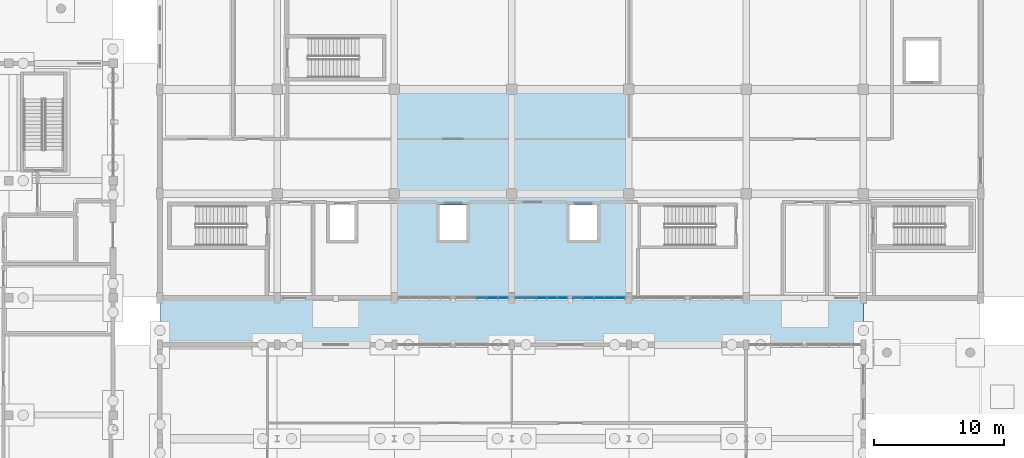
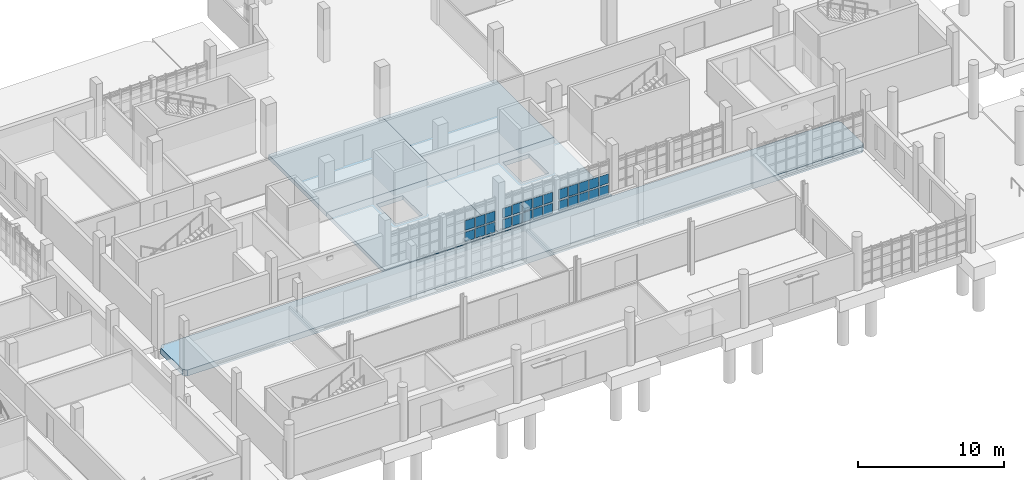
# One storey, part 31 of 63: 26 plates, 5 slabs, 3 elements without a shape of their own.
"""IFC4 building model written with IfcOpenShell, lengths in metres."""

from ifc_helpers import new_model, si_unit, direction, frame, origin, origin_2d, place, context, subcontext, project, spatial, polyline, rectangle, outline, extrude, material, layer, layer_set, type_object, element, aggregate, save


model = new_model("IFC4")

# Units and contexts
model_context = context("Model", 3, precision=1e-05, world=origin(), true_north=direction((0.0, 1.0)))
body_context = subcontext(model_context, "Body", "Model", "MODEL_VIEW")
ifc_project = project(units=[si_unit("LENGTHUNIT", "METRE"), si_unit("AREAUNIT", "SQUARE_METRE"), si_unit("VOLUMEUNIT", "CUBIC_METRE"), si_unit("PLANEANGLEUNIT", "RADIAN"), si_unit("MASSUNIT", "GRAM", prefix="KILO")], contexts=[model_context])

# Site, building, storey
site_placement = place(None, origin())
site = spatial("IfcSite", under=ifc_project, at=site_placement, CompositionType="ELEMENT")
building_placement = place(site_placement, origin())
building = spatial("IfcBuilding", under=site, at=building_placement, Name="Serraforn Aerial Cableway Station", CompositionType="ELEMENT")
storey_placement = place(building_placement, origin())
storey = spatial("IfcBuildingStorey", under=building, at=storey_placement, Name="L00", CompositionType="ELEMENT", Elevation=0.0)

# Curtain wall, plates
ifc_material_1 = material(Name="Anodised bronze unitised curtain wall")
curtain_wall_type_1 = type_object("IfcCurtainWallType", Name="CW-SYS-4", PredefinedType="USERDEFINED", material=ifc_material_1)
curtain_wall_1_placement = place(storey_placement, origin())
curtain_wall_1 = element("IfcCurtainWall", 1, at=curtain_wall_1_placement, inside=storey, type_object=curtain_wall_type_1, Name="Unitised Curtain Wall CW-CV-L00-S3B", ObjectType="UNITISED CURTAIN WALL", PredefinedType="USERDEFINED")
ifc_material_2 = material(Name="Solar-control low-E double glazing", Category="glass")
ifc_layer_1 = layer(ifc_material_2, 0.02587890625)
ifc_layer_set_1 = layer_set([ifc_layer_1], Name="Solar-control low-E double glazing")
plate_type_1 = type_object("IfcPlateType", Name="CW-GLZ-1", PredefinedType="CURTAIN_PANEL", material=ifc_layer_set_1)
plate_1_placement = place(storey_placement, frame((53.129150390625, 18.0, 1.11376953125), z_axis=(0.0, 0.0, 1.0), x_axis=(1.0, 0.0, 0.0)))
plate_1 = element("IfcPlate", 2, at=plate_1_placement, type_object=plate_type_1, Name="Curtain Wall Panel CW-CV-L00-S3B-P4-2", PredefinedType="CURTAIN_PANEL", context=body_context, shape_type="SweptSolid", body=[
    extrude(rectangle(XDim=0.745849609375, YDim=0.02587890625, at=origin_2d()), origin(), (0.0, 0.0, 1.0), 0.824951171875),
])
plate_2_placement = place(storey_placement, frame((53.93603515625, 18.0, 0.177734375), z_axis=(0.0, 0.0, 1.0), x_axis=(1.0, 0.0, 0.0)))
plate_2 = element("IfcPlate", 3, at=plate_2_placement, type_object=plate_type_1, Name="Curtain Wall Panel CW-CV-L00-S3B-P5-1", PredefinedType="CURTAIN_PANEL", context=body_context, shape_type="SweptSolid", body=[
    extrude(rectangle(XDim=0.725830078125, YDim=0.02587890625, at=origin_2d()), origin(), (0.0, 0.0, 1.0), 0.824951171875),
])

curtain_wall_type_2 = type_object("IfcCurtainWallType", Name="CW-SYS-5", PredefinedType="USERDEFINED", material=ifc_material_1)
curtain_wall_2_placement = place(storey_placement, origin())
curtain_wall_2 = element("IfcCurtainWall", 4, at=curtain_wall_2_placement, inside=storey, type_object=curtain_wall_type_2, Name="Unitised Curtain Wall CW-CV-L00-S4A", ObjectType="UNITISED CURTAIN WALL", PredefinedType="USERDEFINED")
plate_3_placement = place(storey_placement, frame((56.8828125, 18.0, 1.11376953125), z_axis=(0.0, 0.0, 1.0), x_axis=(1.0, 0.0, 0.0)))
plate_3 = element("IfcPlate", 5, at=plate_3_placement, type_object=plate_type_1, Name="Curtain Wall Panel CW-CV-L00-S4A-P3-2", PredefinedType="CURTAIN_PANEL", context=body_context, shape_type="SweptSolid", body=[
    extrude(rectangle(XDim=0.745849609375, YDim=0.02587890625, at=origin_2d()), origin(), (0.0, 0.0, 1.0), 0.824951171875),
])
plate_4_placement = place(storey_placement, frame((57.703369140625, 18.0, 0.177734375), z_axis=(0.0, 0.0, 1.0), x_axis=(1.0, 0.0, 0.0)))
plate_4 = element("IfcPlate", 6, at=plate_4_placement, type_object=plate_type_1, Name="Curtain Wall Panel CW-CV-L00-S4A-P4-1", PredefinedType="CURTAIN_PANEL", context=body_context, shape_type="SweptSolid", body=[
    extrude(rectangle(XDim=0.75341796875, YDim=0.02587890625, at=origin_2d()), origin(), (0.0, 0.0, 1.0), 0.824951171875),
])

curtain_wall_type_3 = type_object("IfcCurtainWallType", Name="CW-SYS-6", PredefinedType="USERDEFINED", material=ifc_material_1)
curtain_wall_3_placement = place(storey_placement, origin())
curtain_wall_3 = element("IfcCurtainWall", 7, at=curtain_wall_3_placement, inside=storey, type_object=curtain_wall_type_3, Name="Unitised Curtain Wall CW-CV-L00-S4B", ObjectType="UNITISED CURTAIN WALL", PredefinedType="USERDEFINED")
plate_5_placement = place(storey_placement, frame((60.500244140625, 18.0, 1.11376953125), z_axis=(0.0, 0.0, 1.0), x_axis=(1.0, 0.0, 0.0)))
plate_5 = element("IfcPlate", 8, at=plate_5_placement, type_object=plate_type_1, Name="Curtain Wall Panel CW-CV-L00-S4B-P2-2", PredefinedType="CURTAIN_PANEL", context=body_context, shape_type="SweptSolid", body=[
    extrude(rectangle(XDim=0.745849609375, YDim=0.02587890625, at=origin_2d()), origin(), (0.0, 0.0, 1.0), 0.824951171875),
])
plate_6_placement = place(storey_placement, frame((61.321044921875, 18.0, 0.177734375), z_axis=(0.0, 0.0, 1.0), x_axis=(1.0, 0.0, 0.0)))
plate_6 = element("IfcPlate", 9, at=plate_6_placement, type_object=plate_type_1, Name="Curtain Wall Panel CW-CV-L00-S4B-P3-1", PredefinedType="CURTAIN_PANEL", context=body_context, shape_type="SweptSolid", body=[
    extrude(rectangle(XDim=0.75341796875, YDim=0.02587890625, at=origin_2d()), origin(), (0.0, 0.0, 1.0), 0.824951171875),
])

# Plate
ifc_layer_2 = layer(ifc_material_2, 0.028076171875)
ifc_layer_set_2 = layer_set([ifc_layer_2], Name="Solar-control low-E double glazing")
plate_type_2 = type_object("IfcPlateType", Name="CW-GLZ-2", PredefinedType="CURTAIN_PANEL", material=ifc_layer_set_2)
plate_7_placement = place(storey_placement, frame((53.93603515625, 18.0, 1.118896484375), z_axis=(0.0, 0.0, 1.0), x_axis=(1.0, 0.0, 0.0)))
plate_7 = element("IfcPlate", 10, at=plate_7_placement, type_object=plate_type_2, Name="Curtain Wall Panel CW-CV-L00-S3B-P5-2", PredefinedType="CURTAIN_PANEL", context=body_context, shape_type="SweptSolid", body=[
    extrude(rectangle(XDim=0.725830078125, YDim=0.028076171875, at=origin_2d()), origin(), (0.0, 0.0, 1.0), 0.8125),
])

plate_8_placement = place(storey_placement, frame((57.703369140625, 18.0, 1.118896484375), z_axis=(0.0, 0.0, 1.0), x_axis=(1.0, 0.0, 0.0)))
plate_8 = element("IfcPlate", 11, at=plate_8_placement, type_object=plate_type_2, Name="Curtain Wall Panel CW-CV-L00-S4A-P4-2", PredefinedType="CURTAIN_PANEL", context=body_context, shape_type="SweptSolid", body=[
    extrude(rectangle(XDim=0.75341796875, YDim=0.028076171875, at=origin_2d()), origin(), (0.0, 0.0, 1.0), 0.8125),
])

plate_9_placement = place(storey_placement, frame((58.49658203125, 18.0, 0.182861328125), z_axis=(0.0, 0.0, 1.0), x_axis=(1.0, 0.0, 0.0)))
plate_9 = element("IfcPlate", 12, at=plate_9_placement, type_object=plate_type_2, Name="Curtain Wall Panel CW-CV-L00-S4A-P5-1", PredefinedType="CURTAIN_PANEL", context=body_context, shape_type="SweptSolid", body=[
    extrude(rectangle(XDim=0.73095703125, YDim=0.028076171875, at=origin_2d()), origin(), (0.0, 0.0, 1.0), 0.8125),
])

plate_10_placement = place(storey_placement, frame((61.321044921875, 18.0, 1.118896484375), z_axis=(0.0, 0.0, 1.0), x_axis=(1.0, 0.0, 0.0)))
plate_10 = element("IfcPlate", 13, at=plate_10_placement, type_object=plate_type_2, Name="Curtain Wall Panel CW-CV-L00-S4B-P3-2", PredefinedType="CURTAIN_PANEL", context=body_context, shape_type="SweptSolid", body=[
    extrude(rectangle(XDim=0.75341796875, YDim=0.028076171875, at=origin_2d()), origin(), (0.0, 0.0, 1.0), 0.8125),
])

plate_11_placement = place(storey_placement, frame((62.129150390625, 18.0, 0.182861328125), z_axis=(0.0, 0.0, 1.0), x_axis=(1.0, 0.0, 0.0)))
plate_11 = element("IfcPlate", 14, at=plate_11_placement, type_object=plate_type_2, Name="Curtain Wall Panel CW-CV-L00-S4B-P4-1", PredefinedType="CURTAIN_PANEL", context=body_context, shape_type="SweptSolid", body=[
    extrude(rectangle(XDim=0.760986328125, YDim=0.028076171875, at=origin_2d()), origin(), (0.0, 0.0, 1.0), 0.8125),
])

ifc_layer_3 = layer(ifc_material_2, 0.030029296875)
ifc_layer_set_3 = layer_set([ifc_layer_3], Name="Solar-control low-E double glazing")
plate_type_3 = type_object("IfcPlateType", Name="CW-GLZ-3", PredefinedType="CURTAIN_PANEL", material=ifc_layer_set_3)
plate_12_placement = place(storey_placement, frame((58.49658203125, 18.0, 1.1259765625), z_axis=(0.0, 0.0, 1.0), x_axis=(1.0, 0.0, 0.0)))
plate_12 = element("IfcPlate", 15, at=plate_12_placement, type_object=plate_type_3, Name="Curtain Wall Panel CW-CV-L00-S4A-P5-2", PredefinedType="CURTAIN_PANEL", context=body_context, shape_type="SweptSolid", body=[
    extrude(rectangle(XDim=0.73095703125, YDim=0.030029296875, at=origin_2d()), origin(), (0.0, 0.0, 1.0), 0.797607421875),
])

plate_13_placement = place(storey_placement, frame((62.129150390625, 18.0, 1.1259765625), z_axis=(0.0, 0.0, 1.0), x_axis=(1.0, 0.0, 0.0)))
plate_13 = element("IfcPlate", 16, at=plate_13_placement, type_object=plate_type_3, Name="Curtain Wall Panel CW-CV-L00-S4B-P4-2", PredefinedType="CURTAIN_PANEL", context=body_context, shape_type="SweptSolid", body=[
    extrude(rectangle(XDim=0.760986328125, YDim=0.030029296875, at=origin_2d()), origin(), (0.0, 0.0, 1.0), 0.797607421875),
])

plate_14_placement = place(storey_placement, frame((62.92724609375, 18.0, 0.1904296875), z_axis=(0.0, 0.0, 1.0), x_axis=(1.0, 0.0, 0.0)))
plate_14 = element("IfcPlate", 17, at=plate_14_placement, type_object=plate_type_3, Name="Curtain Wall Panel CW-CV-L00-S4B-P5-1", PredefinedType="CURTAIN_PANEL", context=body_context, shape_type="SweptSolid", body=[
    extrude(rectangle(XDim=0.723388671875, YDim=0.030029296875, at=origin_2d()), origin(), (0.0, 0.0, 1.0), 0.797607421875),
])

ifc_layer_4 = layer(ifc_material_2, 0.031982421875)
ifc_layer_set_4 = layer_set([ifc_layer_4], Name="Solar-control low-E double glazing")
plate_type_4 = type_object("IfcPlateType", Name="CW-GLZ-4", PredefinedType="CURTAIN_PANEL", material=ifc_layer_set_4)
plate_15_placement = place(storey_placement, frame((62.92724609375, 18.0, 1.1337890625), z_axis=(0.0, 0.0, 1.0), x_axis=(1.0, 0.0, 0.0)))
plate_15 = element("IfcPlate", 18, at=plate_15_placement, type_object=plate_type_4, Name="Curtain Wall Panel CW-CV-L00-S4B-P5-2", PredefinedType="CURTAIN_PANEL", context=body_context, shape_type="SweptSolid", body=[
    extrude(rectangle(XDim=0.723388671875, YDim=0.031982421875, at=origin_2d()), origin(), (0.0, 0.0, 1.0), 0.782470703125),
])

ifc_layer_5 = layer(ifc_material_2, 0.035888671875)
ifc_layer_set_5 = layer_set([ifc_layer_5], Name="Solar-control low-E double glazing")
plate_type_5 = type_object("IfcPlateType", Name="CW-GLZ-6", PredefinedType="CURTAIN_PANEL", material=ifc_layer_set_5)
plate_16_placement = place(storey_placement, frame((55.268798828125, 18.0, 0.1904296875), z_axis=(0.0, 0.0, 1.0), x_axis=(1.0, 0.0, 0.0)))
plate_16 = element("IfcPlate", 19, at=plate_16_placement, type_object=plate_type_5, Name="Curtain Wall Panel CW-CV-L00-S4A-P1-1", PredefinedType="CURTAIN_PANEL", context=body_context, shape_type="SweptSolid", body=[
    extrude(rectangle(XDim=0.725830078125, YDim=0.035888671875, at=origin_2d()), origin(), (0.0, 0.0, 1.0), 0.797607421875),
])

ifc_layer_6 = layer(ifc_material_2, 0.029052734375)
ifc_layer_set_6 = layer_set([ifc_layer_6], Name="Solar-control low-E double glazing")
plate_type_6 = type_object("IfcPlateType", Name="CW-GLZ-7", PredefinedType="CURTAIN_PANEL", material=ifc_layer_set_6)
plate_17_placement = place(storey_placement, frame((52.314697265625, 18.0, 0.19775390625), z_axis=(0.0, 0.0, 1.0), x_axis=(1.0, 0.0, 0.0)))
plate_17 = element("IfcPlate", 20, at=plate_17_placement, type_object=plate_type_6, Name="Curtain Wall Panel CW-CV-L00-S3B-P3-1", PredefinedType="CURTAIN_PANEL", context=body_context, shape_type="SweptSolid", body=[
    extrude(rectangle(XDim=0.7509765625, YDim=0.029052734375, at=origin_2d()), origin(), (0.0, 0.0, 1.0), 0.782470703125),
])

plate_18_placement = place(storey_placement, frame((55.268798828125, 18.0, 1.1337890625), z_axis=(0.0, 0.0, 1.0), x_axis=(1.0, 0.0, 0.0)))
plate_18 = element("IfcPlate", 21, at=plate_18_placement, type_object=plate_type_6, Name="Curtain Wall Panel CW-CV-L00-S4A-P1-2", PredefinedType="CURTAIN_PANEL", context=body_context, shape_type="SweptSolid", body=[
    extrude(rectangle(XDim=0.725830078125, YDim=0.029052734375, at=origin_2d()), origin(), (0.0, 0.0, 1.0), 0.782470703125),
])

plate_19_placement = place(storey_placement, frame((56.068359375, 18.0, 0.19775390625), z_axis=(0.0, 0.0, 1.0), x_axis=(1.0, 0.0, 0.0)))
plate_19 = element("IfcPlate", 22, at=plate_19_placement, type_object=plate_type_6, Name="Curtain Wall Panel CW-CV-L00-S4A-P2-1", PredefinedType="CURTAIN_PANEL", context=body_context, shape_type="SweptSolid", body=[
    extrude(rectangle(XDim=0.7509765625, YDim=0.029052734375, at=origin_2d()), origin(), (0.0, 0.0, 1.0), 0.782470703125),
])

plate_20_placement = place(storey_placement, frame((59.7021484375, 18.0, 0.19775390625), z_axis=(0.0, 0.0, 1.0), x_axis=(1.0, 0.0, 0.0)))
plate_20 = element("IfcPlate", 23, at=plate_20_placement, type_object=plate_type_6, Name="Curtain Wall Panel CW-CV-L00-S4B-P1-1", PredefinedType="CURTAIN_PANEL", context=body_context, shape_type="SweptSolid", body=[
    extrude(rectangle(XDim=0.718505859375, YDim=0.029052734375, at=origin_2d()), origin(), (0.0, 0.0, 1.0), 0.782470703125),
])

ifc_layer_7 = layer(ifc_material_2, 0.031005859375)
ifc_layer_set_7 = layer_set([ifc_layer_7], Name="Solar-control low-E double glazing")
plate_type_7 = type_object("IfcPlateType", Name="CW-GLZ-8", PredefinedType="CURTAIN_PANEL", material=ifc_layer_set_7)
plate_21_placement = place(storey_placement, frame((52.314697265625, 18.0, 1.14111328125), z_axis=(0.0, 0.0, 1.0), x_axis=(1.0, 0.0, 0.0)))
plate_21 = element("IfcPlate", 24, at=plate_21_placement, type_object=plate_type_7, Name="Curtain Wall Panel CW-CV-L00-S3B-P3-2", PredefinedType="CURTAIN_PANEL", context=body_context, shape_type="SweptSolid", body=[
    extrude(rectangle(XDim=0.7509765625, YDim=0.031005859375, at=origin_2d()), origin(), (0.0, 0.0, 1.0), 0.802490234375),
])

plate_22_placement = place(storey_placement, frame((53.129150390625, 18.0, 0.20556640625), z_axis=(0.0, 0.0, 1.0), x_axis=(1.0, 0.0, 0.0)))
plate_22 = element("IfcPlate", 25, at=plate_22_placement, type_object=plate_type_7, Name="Curtain Wall Panel CW-CV-L00-S3B-P4-1", PredefinedType="CURTAIN_PANEL", context=body_context, shape_type="SweptSolid", body=[
    extrude(rectangle(XDim=0.745849609375, YDim=0.031005859375, at=origin_2d()), origin(), (0.0, 0.0, 1.0), 0.802490234375),
])

aggregate(curtain_wall_1, [plate_17, plate_21, plate_22, plate_1, plate_2, plate_7])

plate_23_placement = place(storey_placement, frame((56.068359375, 18.0, 1.14111328125), z_axis=(0.0, 0.0, 1.0), x_axis=(1.0, 0.0, 0.0)))
plate_23 = element("IfcPlate", 26, at=plate_23_placement, type_object=plate_type_7, Name="Curtain Wall Panel CW-CV-L00-S4A-P2-2", PredefinedType="CURTAIN_PANEL", context=body_context, shape_type="SweptSolid", body=[
    extrude(rectangle(XDim=0.7509765625, YDim=0.031005859375, at=origin_2d()), origin(), (0.0, 0.0, 1.0), 0.802490234375),
])

plate_24_placement = place(storey_placement, frame((56.8828125, 18.0, 0.20556640625), z_axis=(0.0, 0.0, 1.0), x_axis=(1.0, 0.0, 0.0)))
plate_24 = element("IfcPlate", 27, at=plate_24_placement, type_object=plate_type_7, Name="Curtain Wall Panel CW-CV-L00-S4A-P3-1", PredefinedType="CURTAIN_PANEL", context=body_context, shape_type="SweptSolid", body=[
    extrude(rectangle(XDim=0.745849609375, YDim=0.031005859375, at=origin_2d()), origin(), (0.0, 0.0, 1.0), 0.802490234375),
])

aggregate(curtain_wall_2, [plate_16, plate_18, plate_19, plate_23, plate_24, plate_3, plate_4, plate_8, plate_9, plate_12])

plate_25_placement = place(storey_placement, frame((59.7021484375, 18.0, 1.14111328125), z_axis=(0.0, 0.0, 1.0), x_axis=(1.0, 0.0, 0.0)))
plate_25 = element("IfcPlate", 28, at=plate_25_placement, type_object=plate_type_7, Name="Curtain Wall Panel CW-CV-L00-S4B-P1-2", PredefinedType="CURTAIN_PANEL", context=body_context, shape_type="SweptSolid", body=[
    extrude(rectangle(XDim=0.718505859375, YDim=0.031005859375, at=origin_2d()), origin(), (0.0, 0.0, 1.0), 0.802490234375),
])

plate_26_placement = place(storey_placement, frame((60.500244140625, 18.0, 0.20556640625), z_axis=(0.0, 0.0, 1.0), x_axis=(1.0, 0.0, 0.0)))
plate_26 = element("IfcPlate", 29, at=plate_26_placement, type_object=plate_type_7, Name="Curtain Wall Panel CW-CV-L00-S4B-P2-1", PredefinedType="CURTAIN_PANEL", context=body_context, shape_type="SweptSolid", body=[
    extrude(rectangle(XDim=0.745849609375, YDim=0.031005859375, at=origin_2d()), origin(), (0.0, 0.0, 1.0), 0.802490234375),
])

aggregate(curtain_wall_3, [plate_20, plate_25, plate_26, plate_5, plate_6, plate_10, plate_11, plate_13, plate_14, plate_15])

# Slabs
ifc_material_3 = material(Name="Concrete C40/50", Category="concrete")
ifc_layer_8 = layer(ifc_material_3, 0.360107421875)
ifc_layer_set_8 = layer_set([ifc_layer_8], Name="Concrete C40/50")
slab_type_1 = type_object("IfcSlabType", Name="SLB-FLR-360", PredefinedType="FLOOR", material=ifc_layer_set_8)
slab_1_placement = place(storey_placement, frame((0.0, 0.0, -0.360107421875)))
element("IfcSlab", 30, at=slab_1_placement, inside=storey, type_object=slab_type_1, Name="Floor Slab CV-L00-3-1", PredefinedType="FLOOR", context=body_context, shape_type="SweptSolid", body=[
    extrude(outline(polyline([(45.60009765625, 18.0), (54.60009765625, 18.0), (54.60009765625, 26.0), (45.60009765625, 26.0), (45.60009765625, 18.0)]), holes=[polyline([(49.050048828125, 22.449951171875), (51.14990234375, 22.449951171875), (51.14990234375, 25.14990234375), (49.050048828125, 25.14990234375), (49.050048828125, 22.449951171875)])]), origin(), (0.0, 0.0, 1.0), 0.360107421875),
])
slab_2_placement = place(storey_placement, frame((0.0, 0.0, -0.360107421875)))
element("IfcSlab", 31, at=slab_2_placement, inside=storey, type_object=slab_type_1, Name="Floor Slab CV-L00-3-2", PredefinedType="FLOOR", context=body_context, shape_type="SweptSolid", body=[
    extrude(outline(polyline([(45.60009765625, 26.0), (54.60009765625, 26.0), (54.60009765625, 34.0), (45.60009765625, 34.0), (45.60009765625, 26.0)])), origin(), (0.0, 0.0, 1.0), 0.360107421875),
])
slab_3_placement = place(storey_placement, frame((0.0, 0.0, -0.360107421875)))
element("IfcSlab", 32, at=slab_3_placement, inside=storey, type_object=slab_type_1, Name="Floor Slab CV-L00-4-1", PredefinedType="FLOOR", context=body_context, shape_type="SweptSolid", body=[
    extrude(outline(polyline([(54.60009765625, 18.0), (63.60009765625, 18.0), (63.60009765625, 26.0), (54.60009765625, 26.0), (54.60009765625, 18.0)]), holes=[polyline([(59.050048828125, 22.449951171875), (61.14990234375, 22.449951171875), (61.14990234375, 25.14990234375), (59.050048828125, 25.14990234375), (59.050048828125, 22.449951171875)])]), origin(), (0.0, 0.0, 1.0), 0.360107421875),
])
slab_4_placement = place(storey_placement, frame((0.0, 0.0, -0.360107421875)))
element("IfcSlab", 33, at=slab_4_placement, inside=storey, type_object=slab_type_1, Name="Floor Slab CV-L00-4-2", PredefinedType="FLOOR", context=body_context, shape_type="SweptSolid", body=[
    extrude(outline(polyline([(54.60009765625, 26.0), (63.60009765625, 26.0), (63.60009765625, 34.0), (54.60009765625, 34.0), (54.60009765625, 26.0)])), origin(), (0.0, 0.0, 1.0), 0.360107421875),
])
ifc_material_4 = material(Name="Concrete C35/45", Category="concrete")
ifc_layer_9 = layer(ifc_material_4, 0.5048828125)
ifc_layer_set_9 = layer_set([ifc_layer_9], Name="Concrete C35/45")
slab_type_2 = type_object("IfcSlabType", Name="SLB-PLZ-505", PredefinedType="FLOOR", material=ifc_layer_set_9)
slab_5_placement = place(storey_placement, frame((0.0, 0.0, -0.5048828125)))
element("IfcSlab", 34, at=slab_5_placement, inside=storey, type_object=slab_type_2, Name="Forecourt and Cloister Colonnade Terrace PLZ-W-02", PredefinedType="FLOOR", context=body_context, shape_type="SweptSolid", body=[
    extrude(outline(polyline([(27.89990234375, 14.449951171875), (81.35009765625, 14.449951171875), (81.60009765625, 14.699951171875), (81.60009765625, 17.699951171875), (81.35009765625, 17.949951171875), (27.89990234375, 17.949951171875), (27.64990234375, 17.699951171875), (27.64990234375, 14.699951171875), (27.89990234375, 14.449951171875)])), origin(), (0.0, 0.0, 1.0), 0.5048828125),
])

save(model, "model.ifc")
